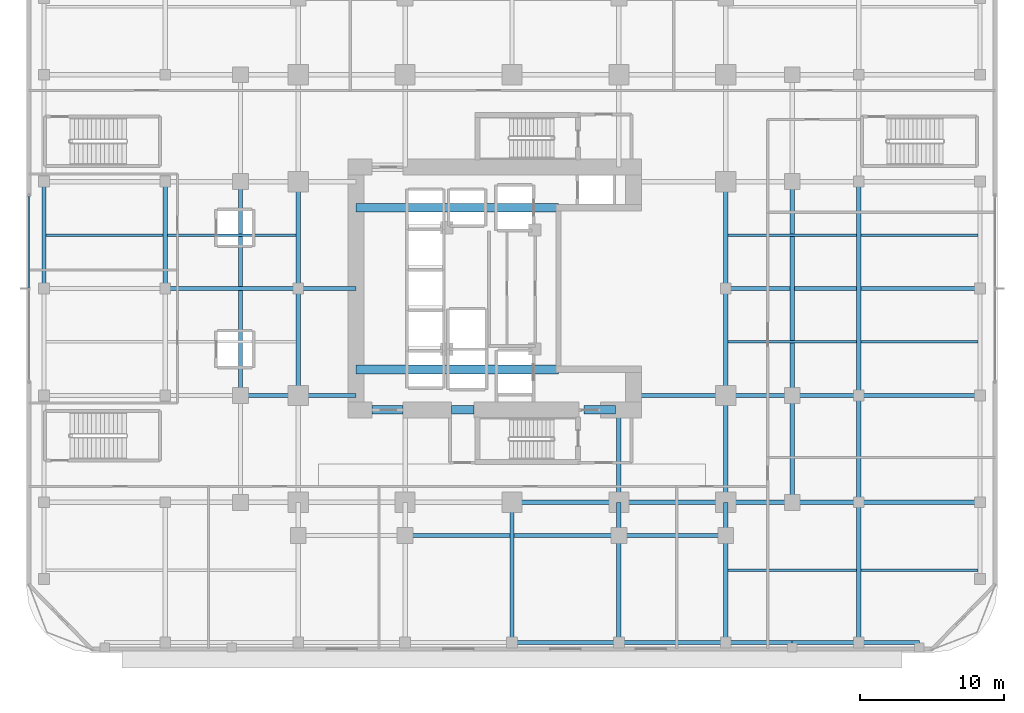
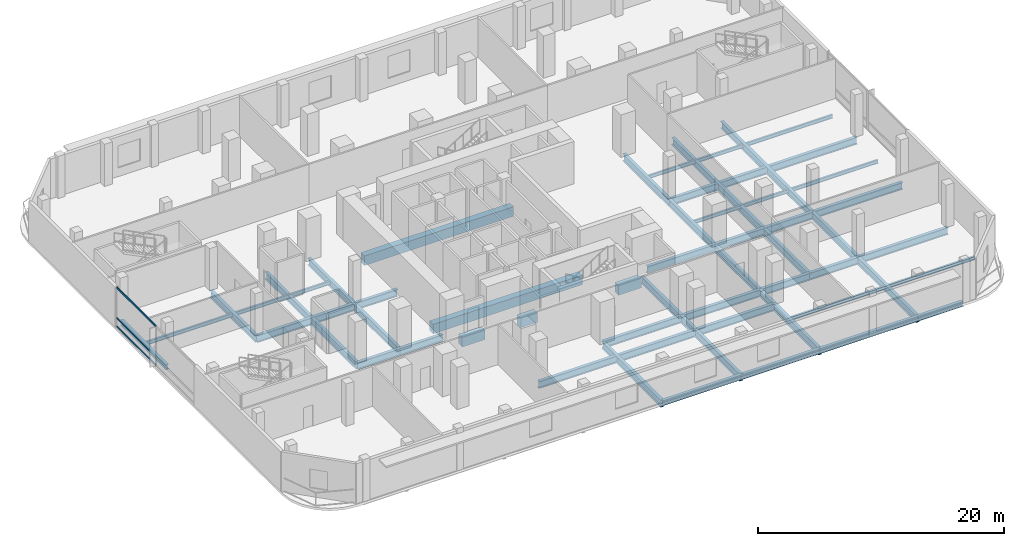
# One storey, part 3 of 19: 53 beams, 3 members, 1 element without a shape of its own.
"""IFC4 building model written with IfcOpenShell, lengths in metres."""

from ifc_helpers import new_model, si_unit, direction, frame, origin, origin_2d, place, context, subcontext, project, spatial, rectangle, hollow_rectangle, i_section, extrude, material, layer, layer_set, material_profile, profile_set, type_object, element, aggregate, save


model = new_model("IFC4")

# Units and contexts
model_context = context("Model", 3, precision=1e-05, world=origin(), true_north=direction((0.0, 1.0)))
body_context = subcontext(model_context, "Body", "Model", "MODEL_VIEW")
ifc_project = project(units=[si_unit("LENGTHUNIT", "METRE"), si_unit("AREAUNIT", "SQUARE_METRE"), si_unit("VOLUMEUNIT", "CUBIC_METRE"), si_unit("PLANEANGLEUNIT", "RADIAN"), si_unit("MASSUNIT", "GRAM", prefix="KILO")], contexts=[model_context])

# Site, building, storey
site_placement = place(None, origin())
site = spatial("IfcSite", under=ifc_project, at=site_placement, CompositionType="ELEMENT")
building_placement = place(site_placement, origin())
building = spatial("IfcBuilding", under=site, at=building_placement, Name="Khorvyn Point Tower", CompositionType="ELEMENT")
storey_placement = place(building_placement, frame((0.0, 0.0, 17.39990234375)))
storey = spatial("IfcBuildingStorey", under=building, at=storey_placement, Name="L05", CompositionType="ELEMENT", Elevation=17.39990234375)

# Curtain wall, members
ifc_material_1 = material(Name="Anodised aluminium 6063-T6 and laminated Low-E glass", Category="aluminium")
ifc_layer = layer(ifc_material_1, 0.18994140625)
ifc_layer_set = layer_set([ifc_layer], Name="Stick-Built Low-E Podium Curtain Wall CW-SYS-01")
curtain_wall_type = type_object("IfcCurtainWallType", Name="Stick-Built Low-E Podium Curtain Wall CW-SYS-01", PredefinedType="NOTDEFINED", material=ifc_layer_set)
curtain_wall_placement = place(storey_placement, origin())
curtain_wall = element("IfcCurtainWall", 1, at=curtain_wall_placement, inside=storey, type_object=curtain_wall_type, Name="Curtain Wall", PredefinedType="NOTDEFINED")
ifc_material_2 = material(Name="Anodised aluminium 6063-T6", Category="aluminium")
ifc_material_profile_1 = material_profile(ifc_material_2, hollow_rectangle(XDim=0.10009765625, YDim=0.159912109375, WallThickness=0.00439453125, at=origin_2d()))
ifc_profile_set_1 = profile_set([ifc_material_profile_1], Name="Anodised aluminium 6063-T6 ALU-TRN-100x160")
member_type = type_object("IfcMemberType", Name="Anodised Aluminium 6063-T6 Transom ALU-TRN-100x160", PredefinedType="USERDEFINED", material=ifc_profile_set_1)
member_1_placement = place(storey_placement, frame((-33.449951171875, 0.050048828125, 0.050048828125), z_axis=(0.0, 1.0, 0.0), x_axis=(-1.0, 0.0, 0.0)))
member_1 = element("IfcMember", 2, at=member_1_placement, type_object=member_type, Name="Transom", ObjectType="TRANSOM", PredefinedType="USERDEFINED", context=body_context, shape_type="SweptSolid", body=[
    extrude(hollow_rectangle(XDim=0.10009765625, YDim=0.159912109375, WallThickness=0.00439453125, at=origin_2d()), origin(), (0.0, 0.0, 1.0), 6.349853515625),
])
member_2_placement = place(storey_placement, frame((-33.449951171875, 0.050048828125, 0.900146484375), z_axis=(0.0, 1.0, 0.0), x_axis=(-1.0, 0.0, 0.0)))
member_2 = element("IfcMember", 3, at=member_2_placement, type_object=member_type, Name="Transom", ObjectType="TRANSOM", PredefinedType="USERDEFINED", context=body_context, shape_type="SweptSolid", body=[
    extrude(hollow_rectangle(XDim=0.10009765625, YDim=0.159912109375, WallThickness=0.00439453125, at=origin_2d()), origin(), (0.0, 0.0, 1.0), 6.349853515625),
])
member_3_placement = place(storey_placement, frame((-33.449951171875, 0.050048828125, 3.91015625), z_axis=(0.0, 1.0, 0.0), x_axis=(-1.0, 0.0, 0.0)))
member_3 = element("IfcMember", 4, at=member_3_placement, type_object=member_type, Name="Transom", ObjectType="TRANSOM", PredefinedType="USERDEFINED", context=body_context, shape_type="SweptSolid", body=[
    extrude(hollow_rectangle(XDim=0.10009765625, YDim=0.159912109375, WallThickness=0.00439453125, at=origin_2d()), origin(), (0.0, 0.0, 1.0), 6.349853515625),
])
aggregate(curtain_wall, [member_1, member_2, member_3])

# Beams
ifc_material_3 = material(Name="Concrete C50/60", Category="concrete")
ifc_material_profile_2 = material_profile(ifc_material_3, rectangle(XDim=0.60009765625, YDim=0.949951171875, at=origin_2d()))
ifc_profile_set_2 = profile_set([ifc_material_profile_2], Name="Concrete C50/60 RC600x950")
beam_type_1 = type_object("IfcBeamType", Name="Concrete C50/60 Beam RC600x950", PredefinedType="BEAM", material=ifc_profile_set_2)
for number, where, z_axis, x_axis, name in (
    (5, (-10.800048828125, -5.60009765625, -0.71484375), (1.0, 0.0, 0.0), (0.0, 1.0, 0.0), "L05 Core Internal Tie Girder S"),
    (6, (-10.800048828125, 5.60009765625, -0.71484375), (1.0, 0.0, 0.0), (0.0, 1.0, 0.0), "L05 Core Internal Tie Girder N"),
):
    element("IfcBeam", number, at=place(storey_placement, frame(where, z_axis=z_axis, x_axis=x_axis)), inside=storey, type_object=beam_type_1, Name=name, PredefinedType="BEAM", context=body_context, shape_type="SweptSolid", body=[
        extrude(rectangle(XDim=0.60009765625, YDim=0.949951171875, at=origin_2d()), origin(), (0.0, 0.0, 1.0), 14.02001953125),
    ])
beam_1_placement = place(storey_placement, frame((-9.699951171875, -8.39990234375, -0.71484375), z_axis=(1.0, 0.0, 0.0), x_axis=(0.0, 1.0, 0.0)))
element("IfcBeam", 7, at=beam_1_placement, inside=storey, type_object=beam_type_1, Name="L05 Core Southwest Portal Coupling Beam", PredefinedType="BEAM", context=body_context, shape_type="SweptSolid", body=[
    extrude(rectangle(XDim=0.60009765625, YDim=0.949951171875, at=origin_2d()), origin(), (0.0, 0.0, 1.0), 2.14990234375),
])
beam_2_placement = place(storey_placement, frame((-4.199951171875, -8.39990234375, -0.71484375), z_axis=(1.0, 0.0, 0.0), x_axis=(0.0, 1.0, 0.0)))
element("IfcBeam", 8, at=beam_2_placement, inside=storey, type_object=beam_type_1, Name="L05 Core Shuttle Portal Coupling Beam", PredefinedType="BEAM", context=body_context, shape_type="SweptSolid", body=[
    extrude(rectangle(XDim=0.60009765625, YDim=0.949951171875, at=origin_2d()), origin(), (0.0, 0.0, 1.0), 1.579833984375),
])
beam_3_placement = place(storey_placement, frame((5.0, -8.39990234375, -0.71484375), z_axis=(1.0, 0.0, 0.0), x_axis=(0.0, 1.0, 0.0)))
element("IfcBeam", 9, at=beam_3_placement, inside=storey, type_object=beam_type_1, Name="L05 Core Southeast Portal Coupling Beam", PredefinedType="BEAM", context=body_context, shape_type="SweptSolid", body=[
    extrude(rectangle(XDim=0.60009765625, YDim=0.949951171875, at=origin_2d()), origin(), (0.0, 0.0, 1.0), 2.14990234375),
])
ifc_material_4 = material(Name="Steel S355", Category="steel")
ifc_material_profile_3 = material_profile(ifc_material_4, i_section(OverallWidth=0.300048828125, OverallDepth=0.699951171875, WebThickness=0.012939453125, FlangeThickness=0.02392578125, at=origin_2d()))
ifc_profile_set_3 = profile_set([ifc_material_profile_3], Name="Steel S355 H700x300x13x24")
beam_type_2 = type_object("IfcBeamType", Name="Steel S355 Beam H700x300x13x24", PredefinedType="BEAM", material=ifc_profile_set_3)
beam_4_placement = place(storey_placement, frame((0.0, -14.800048828125, -0.58984375), z_axis=(1.0, 0.0, 0.0), x_axis=(0.0, 1.0, 0.0)))
element("IfcBeam", 10, at=beam_4_placement, inside=storey, type_object=beam_type_2, Name="Beam", PredefinedType="BEAM", context=body_context, shape_type="SweptSolid", body=[
    extrude(i_section(OverallWidth=0.300048828125, OverallDepth=0.699951171875, WebThickness=0.012939453125, FlangeThickness=0.02392578125, at=origin_2d()), origin(), (0.0, 0.0, 1.0), 7.39990234375),
])
beam_5_placement = place(storey_placement, frame((7.39990234375, -14.800048828125, -0.58984375), z_axis=(1.0, 0.0, 0.0), x_axis=(0.0, 1.0, 0.0)))
element("IfcBeam", 11, at=beam_5_placement, inside=storey, type_object=beam_type_2, Name="Beam", PredefinedType="BEAM", context=body_context, shape_type="SweptSolid", body=[
    extrude(i_section(OverallWidth=0.300048828125, OverallDepth=0.699951171875, WebThickness=0.012939453125, FlangeThickness=0.02392578125, at=origin_2d()), origin(), (0.0, 0.0, 1.0), 7.400146484375),
])
beam_6_placement = place(storey_placement, frame((14.800048828125, -14.800048828125, -0.58984375), z_axis=(1.0, 0.0, 0.0), x_axis=(0.0, 1.0, 0.0)))
element("IfcBeam", 12, at=beam_6_placement, inside=storey, type_object=beam_type_2, Name="Beam", PredefinedType="BEAM", context=body_context, shape_type="SweptSolid", body=[
    extrude(i_section(OverallWidth=0.300048828125, OverallDepth=0.699951171875, WebThickness=0.012939453125, FlangeThickness=0.02392578125, at=origin_2d()), origin(), (0.0, 0.0, 1.0), 4.599853515625),
])
beam_7_placement = place(storey_placement, frame((19.39990234375, -14.800048828125, -0.58984375), z_axis=(1.0, 0.0, 0.0), x_axis=(0.0, 1.0, 0.0)))
element("IfcBeam", 13, at=beam_7_placement, inside=storey, type_object=beam_type_2, Name="Beam", PredefinedType="BEAM", context=body_context, shape_type="SweptSolid", body=[
    extrude(i_section(OverallWidth=0.300048828125, OverallDepth=0.699951171875, WebThickness=0.012939453125, FlangeThickness=0.02392578125, at=origin_2d()), origin(), (0.0, 0.0, 1.0), 4.60009765625),
])
beam_8_placement = place(storey_placement, frame((24.0, -14.800048828125, -0.58984375), z_axis=(1.0, 0.0, 0.0), x_axis=(0.0, 1.0, 0.0)))
element("IfcBeam", 14, at=beam_8_placement, inside=storey, type_object=beam_type_2, Name="Beam", PredefinedType="BEAM", context=body_context, shape_type="SweptSolid", body=[
    extrude(i_section(OverallWidth=0.300048828125, OverallDepth=0.699951171875, WebThickness=0.012939453125, FlangeThickness=0.02392578125, at=origin_2d()), origin(), (0.0, 0.0, 1.0), 8.39990234375),
])
for number, where, z_axis, x_axis, name in (
    (15, (-18.800048828125, -7.39990234375, -0.58984375), (1.0, 0.0, 0.0), (0.0, 1.0, 0.0), "Beam"),
    (16, (-14.800048828125, -7.39990234375, -0.58984375), (1.0, 0.0, 0.0), (0.0, 1.0, 0.0), "Beam"),
):
    element("IfcBeam", number, at=place(storey_placement, frame(where, z_axis=z_axis, x_axis=x_axis)), inside=storey, type_object=beam_type_2, Name=name, PredefinedType="BEAM", context=body_context, shape_type="SweptSolid", body=[
        extrude(i_section(OverallWidth=0.300048828125, OverallDepth=0.699951171875, WebThickness=0.012939453125, FlangeThickness=0.02392578125, at=origin_2d()), origin(), (0.0, 0.0, 1.0), 4.0),
    ])
beam_9_placement = place(storey_placement, frame((8.39990234375, -7.39990234375, -0.58984375), z_axis=(1.0, 0.0, 0.0), x_axis=(0.0, 1.0, 0.0)))
element("IfcBeam", 17, at=beam_9_placement, inside=storey, type_object=beam_type_2, Name="Beam", PredefinedType="BEAM", context=body_context, shape_type="SweptSolid", body=[
    extrude(i_section(OverallWidth=0.300048828125, OverallDepth=0.699951171875, WebThickness=0.012939453125, FlangeThickness=0.02392578125, at=origin_2d()), origin(), (0.0, 0.0, 1.0), 6.400146484375),
])
beam_10_placement = place(storey_placement, frame((14.800048828125, -7.39990234375, -0.58984375), z_axis=(1.0, 0.0, 0.0), x_axis=(0.0, 1.0, 0.0)))
element("IfcBeam", 18, at=beam_10_placement, inside=storey, type_object=beam_type_2, Name="Beam", PredefinedType="BEAM", context=body_context, shape_type="SweptSolid", body=[
    extrude(i_section(OverallWidth=0.300048828125, OverallDepth=0.699951171875, WebThickness=0.012939453125, FlangeThickness=0.02392578125, at=origin_2d()), origin(), (0.0, 0.0, 1.0), 4.599853515625),
])
beam_11_placement = place(storey_placement, frame((19.39990234375, -7.39990234375, -0.58984375), z_axis=(1.0, 0.0, 0.0), x_axis=(0.0, 1.0, 0.0)))
element("IfcBeam", 19, at=beam_11_placement, inside=storey, type_object=beam_type_2, Name="Beam", PredefinedType="BEAM", context=body_context, shape_type="SweptSolid", body=[
    extrude(i_section(OverallWidth=0.300048828125, OverallDepth=0.699951171875, WebThickness=0.012939453125, FlangeThickness=0.02392578125, at=origin_2d()), origin(), (0.0, 0.0, 1.0), 4.60009765625),
])
beam_12_placement = place(storey_placement, frame((24.0, -7.39990234375, -0.58984375), z_axis=(1.0, 0.0, 0.0), x_axis=(0.0, 1.0, 0.0)))
element("IfcBeam", 20, at=beam_12_placement, inside=storey, type_object=beam_type_2, Name="Beam", PredefinedType="BEAM", context=body_context, shape_type="SweptSolid", body=[
    extrude(i_section(OverallWidth=0.300048828125, OverallDepth=0.699951171875, WebThickness=0.012939453125, FlangeThickness=0.02392578125, at=origin_2d()), origin(), (0.0, 0.0, 1.0), 8.39990234375),
])
beam_13_placement = place(storey_placement, frame((-24.0, 0.0, -0.58984375), z_axis=(1.0, 0.0, 0.0), x_axis=(0.0, 1.0, 0.0)))
element("IfcBeam", 21, at=beam_13_placement, inside=storey, type_object=beam_type_2, Name="Beam", PredefinedType="BEAM", context=body_context, shape_type="SweptSolid", body=[
    extrude(i_section(OverallWidth=0.300048828125, OverallDepth=0.699951171875, WebThickness=0.012939453125, FlangeThickness=0.02392578125, at=origin_2d()), origin(), (0.0, 0.0, 1.0), 9.199951171875),
])
beam_14_placement = place(storey_placement, frame((-14.800048828125, 0.0, -0.58984375), z_axis=(1.0, 0.0, 0.0), x_axis=(0.0, 1.0, 0.0)))
element("IfcBeam", 22, at=beam_14_placement, inside=storey, type_object=beam_type_2, Name="Beam", PredefinedType="BEAM", context=body_context, shape_type="SweptSolid", body=[
    extrude(i_section(OverallWidth=0.300048828125, OverallDepth=0.699951171875, WebThickness=0.012939453125, FlangeThickness=0.02392578125, at=origin_2d()), origin(), (0.0, 0.0, 1.0), 4.0),
])
beam_15_placement = place(storey_placement, frame((14.800048828125, 0.0, -0.58984375), z_axis=(1.0, 0.0, 0.0), x_axis=(0.0, 1.0, 0.0)))
element("IfcBeam", 23, at=beam_15_placement, inside=storey, type_object=beam_type_2, Name="Beam", PredefinedType="BEAM", context=body_context, shape_type="SweptSolid", body=[
    extrude(i_section(OverallWidth=0.300048828125, OverallDepth=0.699951171875, WebThickness=0.012939453125, FlangeThickness=0.02392578125, at=origin_2d()), origin(), (0.0, 0.0, 1.0), 17.599853515625),
])
beam_16_placement = place(storey_placement, frame((-7.39990234375, -17.10009765625, -0.58984375), z_axis=(1.0, 0.0, 0.0), x_axis=(0.0, 1.0, 0.0)))
element("IfcBeam", 24, at=beam_16_placement, inside=storey, type_object=beam_type_2, Name="Beam", PredefinedType="BEAM", context=body_context, shape_type="SweptSolid", body=[
    extrude(i_section(OverallWidth=0.300048828125, OverallDepth=0.699951171875, WebThickness=0.012939453125, FlangeThickness=0.02392578125, at=origin_2d()), origin(), (0.0, 0.0, 1.0), 14.7998046875),
])
beam_17_placement = place(storey_placement, frame((7.39990234375, -17.10009765625, -0.58984375), z_axis=(1.0, 0.0, 0.0), x_axis=(0.0, 1.0, 0.0)))
element("IfcBeam", 25, at=beam_17_placement, inside=storey, type_object=beam_type_2, Name="Beam", PredefinedType="BEAM", context=body_context, shape_type="SweptSolid", body=[
    extrude(i_section(OverallWidth=0.300048828125, OverallDepth=0.699951171875, WebThickness=0.012939453125, FlangeThickness=0.02392578125, at=origin_2d()), origin(), (0.0, 0.0, 1.0), 7.400146484375),
])
for number, where, z_axis, x_axis, name in (
    (26, (-24.0, 0.0, -0.58984375), (0.0, 1.0, 0.0), (-1.0, 0.0, 0.0), "Beam"),
    (27, (-14.800048828125, -7.39990234375, -0.58984375), (0.0, 1.0, 0.0), (-1.0, 0.0, 0.0), "Beam"),
    (28, (-14.800048828125, 0.0, -0.58984375), (0.0, 1.0, 0.0), (-1.0, 0.0, 0.0), "Beam"),
):
    element("IfcBeam", number, at=place(storey_placement, frame(where, z_axis=z_axis, x_axis=x_axis)), inside=storey, type_object=beam_type_2, Name=name, PredefinedType="BEAM", context=body_context, shape_type="SweptSolid", body=[
        extrude(i_section(OverallWidth=0.300048828125, OverallDepth=0.699951171875, WebThickness=0.012939453125, FlangeThickness=0.02392578125, at=origin_2d()), origin(), (0.0, 0.0, 1.0), 7.39990234375),
    ])
beam_18_placement = place(storey_placement, frame((0.0, -24.5, -0.58984375), z_axis=(0.0, 1.0, 0.0), x_axis=(-1.0, 0.0, 0.0)))
element("IfcBeam", 29, at=beam_18_placement, inside=storey, type_object=beam_type_2, Name="Beam", PredefinedType="BEAM", context=body_context, shape_type="SweptSolid", body=[
    extrude(i_section(OverallWidth=0.300048828125, OverallDepth=0.699951171875, WebThickness=0.012939453125, FlangeThickness=0.02392578125, at=origin_2d()), origin(), (0.0, 0.0, 1.0), 9.699951171875),
])
beam_19_placement = place(storey_placement, frame((7.39990234375, -24.5, -0.58984375), z_axis=(0.0, 1.0, 0.0), x_axis=(-1.0, 0.0, 0.0)))
element("IfcBeam", 30, at=beam_19_placement, inside=storey, type_object=beam_type_2, Name="Beam", PredefinedType="BEAM", context=body_context, shape_type="SweptSolid", body=[
    extrude(i_section(OverallWidth=0.300048828125, OverallDepth=0.699951171875, WebThickness=0.012939453125, FlangeThickness=0.02392578125, at=origin_2d()), origin(), (0.0, 0.0, 1.0), 7.39990234375),
])
beam_20_placement = place(storey_placement, frame((7.39990234375, -17.10009765625, -0.58984375), z_axis=(0.0, 1.0, 0.0), x_axis=(-1.0, 0.0, 0.0)))
element("IfcBeam", 31, at=beam_20_placement, inside=storey, type_object=beam_type_2, Name="Beam", PredefinedType="BEAM", context=body_context, shape_type="SweptSolid", body=[
    extrude(i_section(OverallWidth=0.300048828125, OverallDepth=0.699951171875, WebThickness=0.012939453125, FlangeThickness=0.02392578125, at=origin_2d()), origin(), (0.0, 0.0, 1.0), 2.300048828125),
])
beam_21_placement = place(storey_placement, frame((7.39990234375, -14.800048828125, -0.58984375), z_axis=(0.0, 1.0, 0.0), x_axis=(-1.0, 0.0, 0.0)))
element("IfcBeam", 32, at=beam_21_placement, inside=storey, type_object=beam_type_2, Name="Beam", PredefinedType="BEAM", context=body_context, shape_type="SweptSolid", body=[
    extrude(i_section(OverallWidth=0.300048828125, OverallDepth=0.699951171875, WebThickness=0.012939453125, FlangeThickness=0.02392578125, at=origin_2d()), origin(), (0.0, 0.0, 1.0), 6.400146484375),
])
beam_22_placement = place(storey_placement, frame((14.800048828125, -24.5, -0.58984375), z_axis=(0.0, 1.0, 0.0), x_axis=(-1.0, 0.0, 0.0)))
element("IfcBeam", 33, at=beam_22_placement, inside=storey, type_object=beam_type_2, Name="Beam", PredefinedType="BEAM", context=body_context, shape_type="SweptSolid", body=[
    extrude(i_section(OverallWidth=0.300048828125, OverallDepth=0.699951171875, WebThickness=0.012939453125, FlangeThickness=0.02392578125, at=origin_2d()), origin(), (0.0, 0.0, 1.0), 7.39990234375),
])
beam_23_placement = place(storey_placement, frame((14.800048828125, -17.10009765625, -0.58984375), z_axis=(0.0, 1.0, 0.0), x_axis=(-1.0, 0.0, 0.0)))
element("IfcBeam", 34, at=beam_23_placement, inside=storey, type_object=beam_type_2, Name="Beam", PredefinedType="BEAM", context=body_context, shape_type="SweptSolid", body=[
    extrude(i_section(OverallWidth=0.300048828125, OverallDepth=0.699951171875, WebThickness=0.012939453125, FlangeThickness=0.02392578125, at=origin_2d()), origin(), (0.0, 0.0, 1.0), 2.300048828125),
])
beam_24_placement = place(storey_placement, frame((14.800048828125, -14.800048828125, -0.58984375), z_axis=(0.0, 1.0, 0.0), x_axis=(-1.0, 0.0, 0.0)))
element("IfcBeam", 35, at=beam_24_placement, inside=storey, type_object=beam_type_2, Name="Beam", PredefinedType="BEAM", context=body_context, shape_type="SweptSolid", body=[
    extrude(i_section(OverallWidth=0.300048828125, OverallDepth=0.699951171875, WebThickness=0.012939453125, FlangeThickness=0.02392578125, at=origin_2d()), origin(), (0.0, 0.0, 1.0), 7.400146484375),
])
for number, where, z_axis, x_axis, name in (
    (36, (14.800048828125, -7.39990234375, -0.58984375), (0.0, 1.0, 0.0), (-1.0, 0.0, 0.0), "Beam"),
    (37, (14.800048828125, 0.0, -0.58984375), (0.0, 1.0, 0.0), (-1.0, 0.0, 0.0), "Beam"),
):
    element("IfcBeam", number, at=place(storey_placement, frame(where, z_axis=z_axis, x_axis=x_axis)), inside=storey, type_object=beam_type_2, Name=name, PredefinedType="BEAM", context=body_context, shape_type="SweptSolid", body=[
        extrude(i_section(OverallWidth=0.300048828125, OverallDepth=0.699951171875, WebThickness=0.012939453125, FlangeThickness=0.02392578125, at=origin_2d()), origin(), (0.0, 0.0, 1.0), 7.39990234375),
    ])
beam_25_placement = place(storey_placement, frame((24.0, -24.5, -0.58984375), z_axis=(0.0, 1.0, 0.0), x_axis=(-1.0, 0.0, 0.0)))
element("IfcBeam", 38, at=beam_25_placement, inside=storey, type_object=beam_type_2, Name="Beam", PredefinedType="BEAM", context=body_context, shape_type="SweptSolid", body=[
    extrude(i_section(OverallWidth=0.300048828125, OverallDepth=0.699951171875, WebThickness=0.012939453125, FlangeThickness=0.02392578125, at=origin_2d()), origin(), (0.0, 0.0, 1.0), 9.699951171875),
])
beam_26_placement = place(storey_placement, frame((24.0, -14.800048828125, -0.58984375), z_axis=(0.0, 1.0, 0.0), x_axis=(-1.0, 0.0, 0.0)))
element("IfcBeam", 39, at=beam_26_placement, inside=storey, type_object=beam_type_2, Name="Beam", PredefinedType="BEAM", context=body_context, shape_type="SweptSolid", body=[
    extrude(i_section(OverallWidth=0.300048828125, OverallDepth=0.699951171875, WebThickness=0.012939453125, FlangeThickness=0.02392578125, at=origin_2d()), origin(), (0.0, 0.0, 1.0), 7.400146484375),
])
for number, where, z_axis, x_axis, name in (
    (40, (24.0, -7.39990234375, -0.58984375), (0.0, 1.0, 0.0), (-1.0, 0.0, 0.0), "Beam"),
    (41, (-18.800048828125, -7.39990234375, -0.58984375), (0.0, 1.0, 0.0), (-1.0, 0.0, 0.0), "Beam"),
):
    element("IfcBeam", number, at=place(storey_placement, frame(where, z_axis=z_axis, x_axis=x_axis)), inside=storey, type_object=beam_type_2, Name=name, PredefinedType="BEAM", context=body_context, shape_type="SweptSolid", body=[
        extrude(i_section(OverallWidth=0.300048828125, OverallDepth=0.699951171875, WebThickness=0.012939453125, FlangeThickness=0.02392578125, at=origin_2d()), origin(), (0.0, 0.0, 1.0), 14.7998046875),
    ])
beam_27_placement = place(storey_placement, frame((19.39990234375, -14.800048828125, -0.58984375), z_axis=(0.0, 1.0, 0.0), x_axis=(-1.0, 0.0, 0.0)))
element("IfcBeam", 42, at=beam_27_placement, inside=storey, type_object=beam_type_2, Name="Beam", PredefinedType="BEAM", context=body_context, shape_type="SweptSolid", body=[
    extrude(i_section(OverallWidth=0.300048828125, OverallDepth=0.699951171875, WebThickness=0.012939453125, FlangeThickness=0.02392578125, at=origin_2d()), origin(), (0.0, 0.0, 1.0), 7.400146484375),
])
beam_28_placement = place(storey_placement, frame((19.39990234375, -7.39990234375, -0.58984375), z_axis=(0.0, 1.0, 0.0), x_axis=(-1.0, 0.0, 0.0)))
element("IfcBeam", 43, at=beam_28_placement, inside=storey, type_object=beam_type_2, Name="Beam", PredefinedType="BEAM", context=body_context, shape_type="SweptSolid", body=[
    extrude(i_section(OverallWidth=0.300048828125, OverallDepth=0.699951171875, WebThickness=0.012939453125, FlangeThickness=0.02392578125, at=origin_2d()), origin(), (0.0, 0.0, 1.0), 14.7998046875),
])
ifc_material_profile_4 = material_profile(ifc_material_4, i_section(OverallWidth=0.175048828125, OverallDepth=0.35009765625, WebThickness=0.007080078125, FlangeThickness=0.010986328125, at=origin_2d()))
ifc_profile_set_4 = profile_set([ifc_material_profile_4], Name="Steel S355 H350x175x7x11")
beam_type_3 = type_object("IfcBeamType", Name="Steel S355 Joist H350x175x7x11", PredefinedType="JOIST", material=ifc_profile_set_4)
beam_29_placement = place(storey_placement, frame((14.949951171875, -19.5, -0.414794921875), z_axis=(1.0, 0.0, 0.0), x_axis=(0.0, 1.0, 0.0)))
element("IfcBeam", 44, at=beam_29_placement, inside=storey, type_object=beam_type_3, Name="Beam", PredefinedType="JOIST", context=body_context, shape_type="SweptSolid", body=[
    extrude(i_section(OverallWidth=0.175048828125, OverallDepth=0.35009765625, WebThickness=0.007080078125, FlangeThickness=0.010986328125, at=origin_2d()), origin(), (0.0, 0.0, 1.0), 8.900146484375),
])
beam_30_placement = place(storey_placement, frame((24.14990234375, -19.5, -0.414794921875), z_axis=(1.0, 0.0, 0.0), x_axis=(0.0, 1.0, 0.0)))
element("IfcBeam", 45, at=beam_30_placement, inside=storey, type_object=beam_type_3, Name="Beam", PredefinedType="JOIST", context=body_context, shape_type="SweptSolid", body=[
    extrude(i_section(OverallWidth=0.175048828125, OverallDepth=0.35009765625, WebThickness=0.007080078125, FlangeThickness=0.010986328125, at=origin_2d()), origin(), (0.0, 0.0, 1.0), 8.10009765625),
])
beam_31_placement = place(storey_placement, frame((14.949951171875, -3.699951171875, -0.414794921875), z_axis=(1.0, 0.0, 0.0), x_axis=(0.0, 1.0, 0.0)))
element("IfcBeam", 46, at=beam_31_placement, inside=storey, type_object=beam_type_3, Name="Beam", PredefinedType="JOIST", context=body_context, shape_type="SweptSolid", body=[
    extrude(i_section(OverallWidth=0.175048828125, OverallDepth=0.35009765625, WebThickness=0.007080078125, FlangeThickness=0.010986328125, at=origin_2d()), origin(), (0.0, 0.0, 1.0), 8.900146484375),
])
for number, where, z_axis, x_axis, name in (
    (47, (24.14990234375, -3.699951171875, -0.414794921875), (1.0, 0.0, 0.0), (0.0, 1.0, 0.0), "Beam"),
    (48, (-32.25, 3.699951171875, -0.414794921875), (1.0, 0.0, 0.0), (0.0, 1.0, 0.0), "Beam"),
):
    element("IfcBeam", number, at=place(storey_placement, frame(where, z_axis=z_axis, x_axis=x_axis)), inside=storey, type_object=beam_type_3, Name=name, PredefinedType="JOIST", context=body_context, shape_type="SweptSolid", body=[
        extrude(i_section(OverallWidth=0.175048828125, OverallDepth=0.35009765625, WebThickness=0.007080078125, FlangeThickness=0.010986328125, at=origin_2d()), origin(), (0.0, 0.0, 1.0), 8.10009765625),
    ])
for number, where, z_axis, x_axis, name in (
    (49, (-23.85009765625, 3.699951171875, -0.414794921875), (1.0, 0.0, 0.0), (0.0, 1.0, 0.0), "Beam"),
    (50, (14.949951171875, 3.699951171875, -0.414794921875), (1.0, 0.0, 0.0), (0.0, 1.0, 0.0), "Beam"),
):
    element("IfcBeam", number, at=place(storey_placement, frame(where, z_axis=z_axis, x_axis=x_axis)), inside=storey, type_object=beam_type_3, Name=name, PredefinedType="JOIST", context=body_context, shape_type="SweptSolid", body=[
        extrude(i_section(OverallWidth=0.175048828125, OverallDepth=0.35009765625, WebThickness=0.007080078125, FlangeThickness=0.010986328125, at=origin_2d()), origin(), (0.0, 0.0, 1.0), 8.900146484375),
    ])
beam_32_placement = place(storey_placement, frame((24.14990234375, 3.699951171875, -0.414794921875), z_axis=(1.0, 0.0, 0.0), x_axis=(0.0, 1.0, 0.0)))
element("IfcBeam", 51, at=beam_32_placement, inside=storey, type_object=beam_type_3, Name="Beam", PredefinedType="JOIST", context=body_context, shape_type="SweptSolid", body=[
    extrude(i_section(OverallWidth=0.175048828125, OverallDepth=0.35009765625, WebThickness=0.007080078125, FlangeThickness=0.010986328125, at=origin_2d()), origin(), (0.0, 0.0, 1.0), 8.10009765625),
])
ifc_material_profile_5 = material_profile(ifc_material_4, i_section(OverallWidth=0.300048828125, OverallDepth=0.488037109375, WebThickness=0.010986328125, FlangeThickness=0.01806640625, at=origin_2d()))
ifc_profile_set_5 = profile_set([ifc_material_profile_5], Name="Steel S355 H488x300x11x18")
beam_type_4 = type_object("IfcBeamType", Name="Steel S355 Spandrel H488x300x11x18", PredefinedType="SPANDREL", material=ifc_profile_set_5)
beam_33_placement = place(storey_placement, frame((0.0, -24.5, -0.48388671875), z_axis=(1.0, 0.0, 0.0), x_axis=(0.0, 1.0, 0.0)))
element("IfcBeam", 52, at=beam_33_placement, inside=storey, type_object=beam_type_4, Name="Beam", PredefinedType="SPANDREL", context=body_context, shape_type="SweptSolid", body=[
    extrude(i_section(OverallWidth=0.300048828125, OverallDepth=0.488037109375, WebThickness=0.010986328125, FlangeThickness=0.01806640625, at=origin_2d()), origin(), (0.0, 0.0, 1.0), 7.39990234375),
])
beam_34_placement = place(storey_placement, frame((7.39990234375, -24.5, -0.48388671875), z_axis=(1.0, 0.0, 0.0), x_axis=(0.0, 1.0, 0.0)))
element("IfcBeam", 53, at=beam_34_placement, inside=storey, type_object=beam_type_4, Name="Beam", PredefinedType="SPANDREL", context=body_context, shape_type="SweptSolid", body=[
    extrude(i_section(OverallWidth=0.300048828125, OverallDepth=0.488037109375, WebThickness=0.010986328125, FlangeThickness=0.01806640625, at=origin_2d()), origin(), (0.0, 0.0, 1.0), 7.400146484375),
])
beam_35_placement = place(storey_placement, frame((14.800048828125, -24.5, -0.48388671875), z_axis=(1.0, 0.0, 0.0), x_axis=(0.0, 1.0, 0.0)))
element("IfcBeam", 54, at=beam_35_placement, inside=storey, type_object=beam_type_4, Name="Beam", PredefinedType="SPANDREL", context=body_context, shape_type="SweptSolid", body=[
    extrude(i_section(OverallWidth=0.300048828125, OverallDepth=0.488037109375, WebThickness=0.010986328125, FlangeThickness=0.01806640625, at=origin_2d()), origin(), (0.0, 0.0, 1.0), 4.599853515625),
])
beam_36_placement = place(storey_placement, frame((19.39990234375, -24.5, -0.48388671875), z_axis=(1.0, 0.0, 0.0), x_axis=(0.0, 1.0, 0.0)))
element("IfcBeam", 55, at=beam_36_placement, inside=storey, type_object=beam_type_4, Name="Beam", PredefinedType="SPANDREL", context=body_context, shape_type="SweptSolid", body=[
    extrude(i_section(OverallWidth=0.300048828125, OverallDepth=0.488037109375, WebThickness=0.010986328125, FlangeThickness=0.01806640625, at=origin_2d()), origin(), (0.0, 0.0, 1.0), 4.60009765625),
])
beam_37_placement = place(storey_placement, frame((24.0, -24.5, -0.48388671875), z_axis=(1.0, 0.0, 0.0), x_axis=(0.0, 1.0, 0.0)))
element("IfcBeam", 56, at=beam_37_placement, inside=storey, type_object=beam_type_4, Name="Beam", PredefinedType="SPANDREL", context=body_context, shape_type="SweptSolid", body=[
    extrude(i_section(OverallWidth=0.300048828125, OverallDepth=0.488037109375, WebThickness=0.010986328125, FlangeThickness=0.01806640625, at=origin_2d()), origin(), (0.0, 0.0, 1.0), 4.199951171875),
])
beam_38_placement = place(storey_placement, frame((-32.39990234375, 0.0, -0.48388671875), z_axis=(0.0, 1.0, 0.0), x_axis=(-1.0, 0.0, 0.0)))
element("IfcBeam", 57, at=beam_38_placement, inside=storey, type_object=beam_type_4, Name="Beam", PredefinedType="SPANDREL", context=body_context, shape_type="SweptSolid", body=[
    extrude(i_section(OverallWidth=0.300048828125, OverallDepth=0.488037109375, WebThickness=0.010986328125, FlangeThickness=0.01806640625, at=origin_2d()), origin(), (0.0, 0.0, 1.0), 7.39990234375),
])

save(model, "model.ifc")
